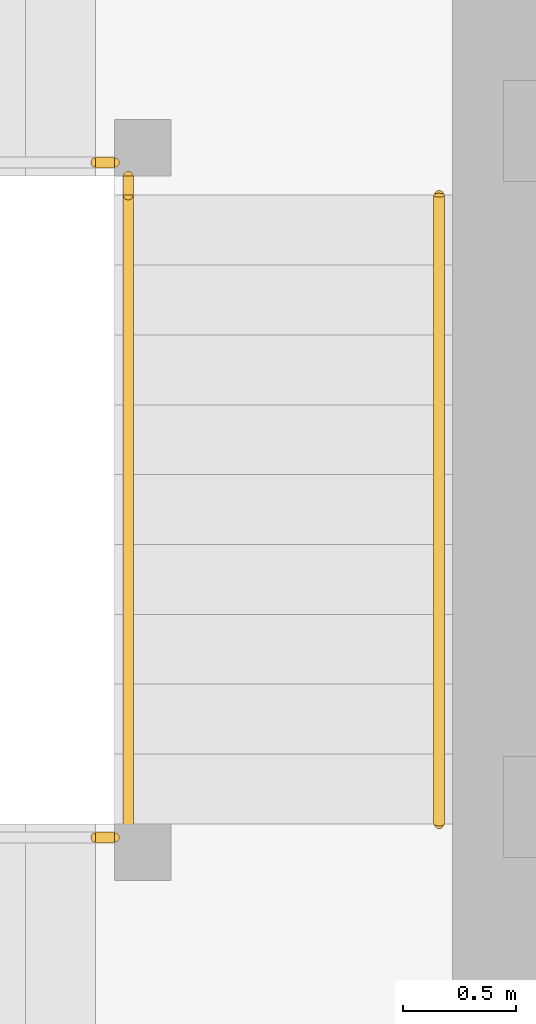
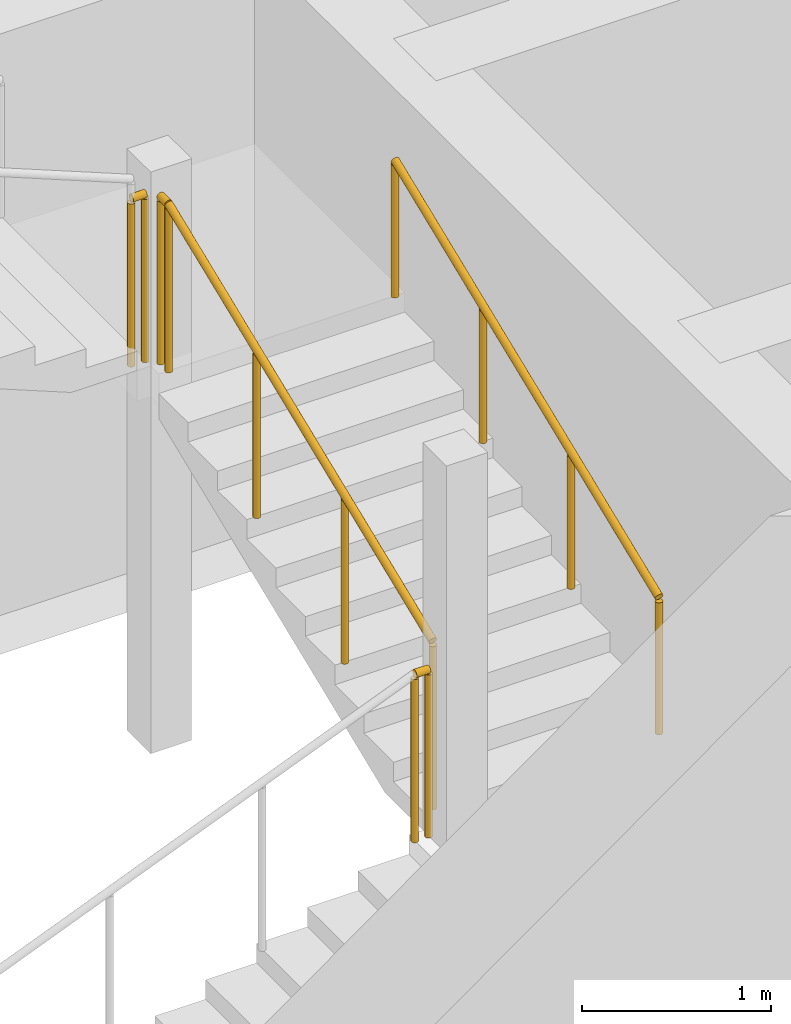
# One storey, part 34 of 38: 5 railings.
"""IFC4 building model written with IfcOpenShell, lengths in metres."""

from ifc_helpers import new_model, si_unit, direction, frame, origin, origin_2d, place, context, subcontext, project, spatial, circle, extrude, material, type_object, element, save


model = new_model("IFC4")

# Units and contexts
model_context = context("Model", 3, precision=1e-05, world=origin(), true_north=direction((0.0, 1.0)))
body_context = subcontext(model_context, "Body", "Model", "MODEL_VIEW")
ifc_project = project(units=[si_unit("LENGTHUNIT", "METRE"), si_unit("AREAUNIT", "SQUARE_METRE"), si_unit("VOLUMEUNIT", "CUBIC_METRE"), si_unit("PLANEANGLEUNIT", "RADIAN"), si_unit("MASSUNIT", "GRAM", prefix="KILO")], contexts=[model_context])

# Site, building, storey
site_placement = place(None, origin())
site = spatial("IfcSite", under=ifc_project, at=site_placement, CompositionType="ELEMENT")
building_placement = place(site_placement, origin())
building = spatial("IfcBuilding", under=site, at=building_placement, Name="Rekha Terrace Tower", CompositionType="ELEMENT")
storey_placement = place(building_placement, frame((0.0, 0.0, 202.699951171875)))
storey = spatial("IfcBuildingStorey", under=building, at=storey_placement, Name="L51", CompositionType="ELEMENT", Elevation=202.699951171875)

# Railings
ifc_material_1 = material(Name="Stainless steel balustrade", Category="steel")
railing_type_1 = type_object("IfcRailingType", Name="GR1 1100 stair guard", PredefinedType="GUARDRAIL", material=ifc_material_1)
railing_1_placement = place(storey_placement, frame((30.135009765625, 41.324951171875, 1.375)))
element("IfcRailing", 1, at=railing_1_placement, inside=storey, type_object=railing_type_1, Name="Guard ST4 L51 flight 2", PredefinedType="GUARDRAIL", context=body_context, shape_type="SweptSolid", body=[
    extrude(circle(Radius=0.02392578125, at=origin_2d()), frame((0.0, 0.0, 1.076171875), z_axis=(0.0, 0.927443287984, 0.373963831907), x_axis=(-1.0, 0.0, 0.0)), (0.0, 0.0, 1.0), 3.00830078125),
    extrude(circle(Radius=0.02099609375, at=origin_2d()), origin(), (0.0, 0.0, 1.0), 1.052001953125),
    extrude(circle(Radius=0.02099609375, at=origin_2d()), frame((0.0, 0.929931640625, 0.375)), (0.0, 0.0, 1.0), 1.052001953125),
    extrude(circle(Radius=0.02099609375, at=origin_2d()), frame((0.0, 1.860107421875, 0.75)), (0.0, 0.0, 1.0), 1.052001953125),
    extrude(circle(Radius=0.02099609375, at=origin_2d()), frame((0.0, 2.7900390625, 1.125)), (0.0, 0.0, 1.0), 1.052001953125),
])
railing_2_placement = place(storey_placement, frame((29.989990234375, 41.264892578125, 1.25)))
element("IfcRailing", 2, at=railing_2_placement, inside=storey, type_object=railing_type_1, Name="Guard ST4 L51 landing 1", PredefinedType="GUARDRAIL", context=body_context, shape_type="SweptSolid", body=[
    extrude(circle(Radius=0.02392578125, at=origin_2d()), frame((0.0, 0.0, 1.076171875), z_axis=(1.0, 0.0, 0.0), x_axis=(0.0, 1.0, 0.0)), (0.0, 0.0, 1.0), 0.0849609375),
    extrude(circle(Radius=0.02099609375, at=origin_2d()), origin(), (0.0, 0.0, 1.0), 1.052001953125),
    extrude(circle(Radius=0.02099609375, at=origin_2d()), frame((0.0849609375, 0.0, 0.0)), (0.0, 0.0, 1.0), 1.052001953125),
])
railing_3_placement = place(storey_placement, frame((30.135009765625, 44.114990234375, 2.5)))
element("IfcRailing", 3, at=railing_3_placement, inside=storey, type_object=railing_type_1, Name="Guard ST4 L51 landing 2", PredefinedType="GUARDRAIL", context=body_context, shape_type="SweptSolid", body=[
    extrude(circle(Radius=0.02392578125, at=origin_2d()), frame((0.0, 0.0, 1.076171875), z_axis=(0.0, 1.0, 0.0), x_axis=(-1.0, 0.0, 0.0)), (0.0, 0.0, 1.0), 0.0849609375),
    extrude(circle(Radius=0.02099609375, at=origin_2d()), origin(), (0.0, 0.0, 1.0), 1.052001953125),
    extrude(circle(Radius=0.02099609375, at=origin_2d()), frame((0.0, 0.0849609375, 0.0)), (0.0, 0.0, 1.0), 1.052001953125),
])
railing_4_placement = place(storey_placement, frame((29.989990234375, 44.260009765625, 2.5)))
element("IfcRailing", 4, at=railing_4_placement, inside=storey, type_object=railing_type_1, Name="Guard ST4 L51 landing 3", PredefinedType="GUARDRAIL", context=body_context, shape_type="SweptSolid", body=[
    extrude(circle(Radius=0.02392578125, at=origin_2d()), frame((0.0, 0.0, 1.076171875), z_axis=(1.0, 0.0, 0.0), x_axis=(0.0, 1.0, 0.0)), (0.0, 0.0, 1.0), 0.0849609375),
    extrude(circle(Radius=0.02099609375, at=origin_2d()), origin(), (0.0, 0.0, 1.0), 1.052001953125),
    extrude(circle(Radius=0.02099609375, at=origin_2d()), frame((0.0849609375, 0.0, 0.0)), (0.0, 0.0, 1.0), 1.052001953125),
])
ifc_material_2 = material(Name="Stainless steel tube", Category="steel")
railing_type_2 = type_object("IfcRailingType", Name="HR1 900 stair handrail", PredefinedType="HANDRAIL", material=ifc_material_2)
railing_5_placement = place(storey_placement, frame((31.514892578125, 41.324951171875, 1.375)))
element("IfcRailing", 5, at=railing_5_placement, inside=storey, type_object=railing_type_2, Name="Handrail ST4 L51 flight 2", PredefinedType="HANDRAIL", context=body_context, shape_type="SweptSolid", body=[
    extrude(circle(Radius=0.02392578125, at=origin_2d()), frame((0.0, 0.0, 0.8759765625), z_axis=(0.0, 0.927443287984, 0.373963831907), x_axis=(-1.0, 0.0, 0.0)), (0.0, 0.0, 1.0), 3.00830078125),
    extrude(circle(Radius=0.02099609375, at=origin_2d()), origin(), (0.0, 0.0, 1.0), 0.851806640625),
    extrude(circle(Radius=0.02099609375, at=origin_2d()), frame((0.0, 0.929931640625, 0.375)), (0.0, 0.0, 1.0), 0.851806640625),
    extrude(circle(Radius=0.02099609375, at=origin_2d()), frame((0.0, 1.860107421875, 0.75)), (0.0, 0.0, 1.0), 0.851806640625),
    extrude(circle(Radius=0.02099609375, at=origin_2d()), frame((0.0, 2.7900390625, 1.125)), (0.0, 0.0, 1.0), 0.851806640625),
])

save(model, "model.ifc")
